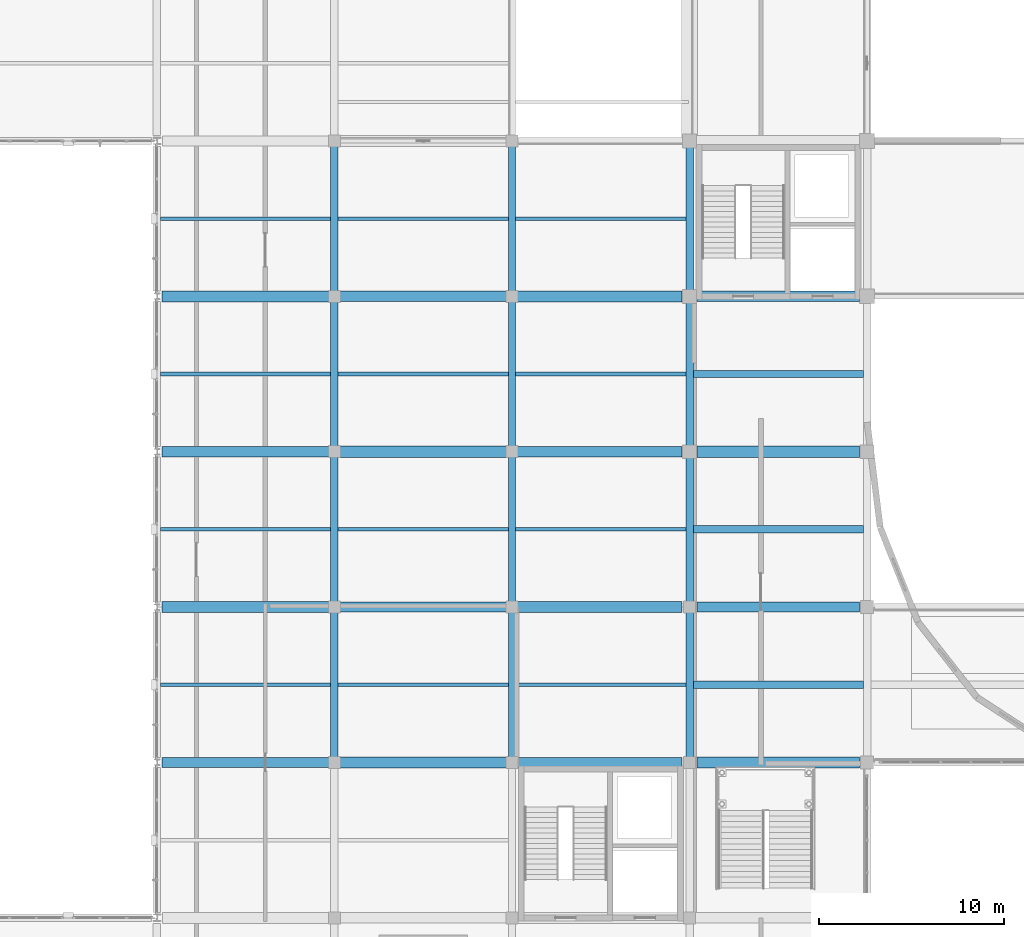
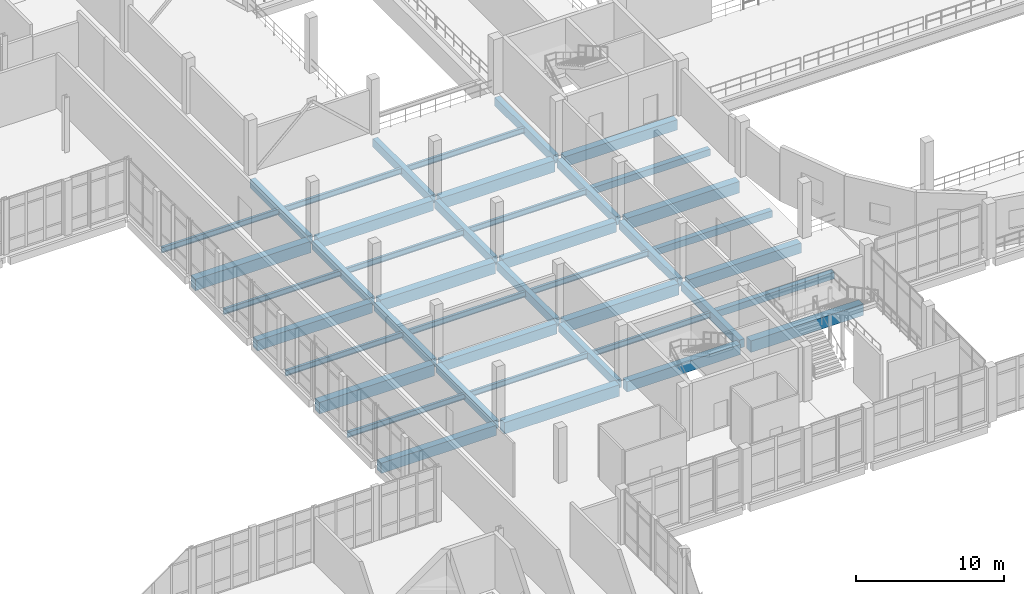
# One storey, part 32 of 102: 43 beams.
"""IFC4 building model written with IfcOpenShell, lengths in metres."""

from ifc_helpers import new_model, si_unit, direction, frame, origin, origin_2d, place, context, subcontext, project, spatial, rectangle, i_section, extrude, material, material_profile, profile_set, type_object, element, save


model = new_model("IFC4")

# Units and contexts
model_context = context("Model", 3, precision=1e-05, world=origin(), true_north=direction((0.0, 1.0)))
body_context = subcontext(model_context, "Body", "Model", "MODEL_VIEW")
ifc_project = project(units=[si_unit("LENGTHUNIT", "METRE"), si_unit("AREAUNIT", "SQUARE_METRE"), si_unit("VOLUMEUNIT", "CUBIC_METRE"), si_unit("PLANEANGLEUNIT", "RADIAN"), si_unit("MASSUNIT", "GRAM", prefix="KILO")], contexts=[model_context])

# Site, building, storey
site_placement = place(None, origin())
site = spatial("IfcSite", under=ifc_project, at=site_placement, CompositionType="ELEMENT")
building_placement = place(site_placement, origin())
building = spatial("IfcBuilding", under=site, at=building_placement, Name="Lornevale Opera House", CompositionType="ELEMENT")
storey_placement = place(building_placement, frame((0.0, 0.0, 5.39990234375)))
storey = spatial("IfcBuildingStorey", under=building, at=storey_placement, Name="L02", CompositionType="ELEMENT", Elevation=5.39990234375)

# Beams
ifc_material_1 = material(Name="Concrete 35 MPa (CSA A23.1 N)", Category="concrete")
ifc_material_profile_1 = material_profile(ifc_material_1, rectangle(XDim=0.39990234375, YDim=0.550048828125, at=origin_2d()), Name="RC400x550")
ifc_profile_set_1 = profile_set([ifc_material_profile_1], Name="Concrete 35 MPa (CSA A23.1 N)")
beam_type_1 = type_object("IfcBeamType", Name="Auditorium Tier Raker Beam 400x550", PredefinedType="JOIST", material=ifc_profile_set_1)
for number, where, z_axis, x_axis, name in (
    (1, (57.800048828125, 37.800048828125, -0.625), (1.0, 0.0, 0.0), (0.0, 1.0, 0.0), "Auditorium Tier Raker Beam 400x550 2022"),
    (2, (57.800048828125, 46.199951171875, -0.625), (1.0, 0.0, 0.0), (0.0, 1.0, 0.0), "Auditorium Tier Raker Beam 400x550 2023"),
    (3, (57.800048828125, 54.60009765625, -0.625), (1.0, 0.0, 0.0), (0.0, 1.0, 0.0), "Auditorium Tier Raker Beam 400x550 2024"),
):
    element("IfcBeam", number, at=place(storey_placement, frame(where, z_axis=z_axis, x_axis=x_axis)), inside=storey, type_object=beam_type_1, Name=name, PredefinedType="JOIST", context=body_context, shape_type="SweptSolid", body=[
        extrude(rectangle(XDim=0.39990234375, YDim=0.550048828125, at=origin_2d()), origin(), (0.0, 0.0, 1.0), 9.199951171875),
    ])
ifc_material_profile_2 = material_profile(ifc_material_1, rectangle(XDim=0.39990234375, YDim=0.699951171875, at=origin_2d()), Name="RC400x700")
ifc_profile_set_2 = profile_set([ifc_material_profile_2], Name="Concrete 35 MPa (CSA A23.1 N)")
beam_type_2 = type_object("IfcBeamType", Name="Concrete Floor Beam 400x700", PredefinedType="USERDEFINED", material=ifc_profile_set_2)
for number, where, z_axis, x_axis, name in (
    (4, (38.39990234375, 33.89990234375, -0.699951171875), (0.0, 1.0, 0.0), (-1.0, 0.0, 0.0), "Concrete Floor Beam 400x700 1861"),
    (5, (38.39990234375, 42.300048828125, -0.699951171875), (0.0, 1.0, 0.0), (-1.0, 0.0, 0.0), "Concrete Floor Beam 400x700 1862"),
    (6, (38.39990234375, 50.699951171875, -0.699951171875), (0.0, 1.0, 0.0), (-1.0, 0.0, 0.0), "Concrete Floor Beam 400x700 1863"),
):
    element("IfcBeam", number, at=place(storey_placement, frame(where, z_axis=z_axis, x_axis=x_axis)), inside=storey, type_object=beam_type_2, Name=name, ObjectType="GIRDER", PredefinedType="USERDEFINED", context=body_context, shape_type="SweptSolid", body=[
        extrude(rectangle(XDim=0.39990234375, YDim=0.699951171875, at=origin_2d()), origin(), (0.0, 0.0, 1.0), 7.800048828125),
    ])
beam_1_placement = place(storey_placement, frame((38.39990234375, 59.10009765625, -0.699951171875), z_axis=(0.0, 1.0, 0.0), x_axis=(-1.0, 0.0, 0.0)))
element("IfcBeam", 7, at=beam_1_placement, inside=storey, type_object=beam_type_2, Name="Concrete Floor Beam 400x700 1864", ObjectType="GIRDER", PredefinedType="USERDEFINED", context=body_context, shape_type="SweptSolid", body=[
    extrude(rectangle(XDim=0.39990234375, YDim=0.699951171875, at=origin_2d()), origin(), (0.0, 0.0, 1.0), 7.7998046875),
])
for number, where, z_axis, x_axis, name in (
    (8, (48.0, 33.89990234375, -0.699951171875), (0.0, 1.0, 0.0), (-1.0, 0.0, 0.0), "Concrete Floor Beam 400x700 1872"),
    (9, (48.0, 42.300048828125, -0.699951171875), (0.0, 1.0, 0.0), (-1.0, 0.0, 0.0), "Concrete Floor Beam 400x700 1873"),
    (10, (48.0, 50.699951171875, -0.699951171875), (0.0, 1.0, 0.0), (-1.0, 0.0, 0.0), "Concrete Floor Beam 400x700 1874"),
):
    element("IfcBeam", number, at=place(storey_placement, frame(where, z_axis=z_axis, x_axis=x_axis)), inside=storey, type_object=beam_type_2, Name=name, ObjectType="GIRDER", PredefinedType="USERDEFINED", context=body_context, shape_type="SweptSolid", body=[
        extrude(rectangle(XDim=0.39990234375, YDim=0.699951171875, at=origin_2d()), origin(), (0.0, 0.0, 1.0), 7.800048828125),
    ])
beam_2_placement = place(storey_placement, frame((48.0, 59.10009765625, -0.699951171875), z_axis=(0.0, 1.0, 0.0), x_axis=(-1.0, 0.0, 0.0)))
element("IfcBeam", 11, at=beam_2_placement, inside=storey, type_object=beam_type_2, Name="Concrete Floor Beam 400x700 1875", ObjectType="GIRDER", PredefinedType="USERDEFINED", context=body_context, shape_type="SweptSolid", body=[
    extrude(rectangle(XDim=0.39990234375, YDim=0.699951171875, at=origin_2d()), origin(), (0.0, 0.0, 1.0), 7.7998046875),
])
for number, where, z_axis, x_axis, name in (
    (12, (57.60009765625, 33.85009765625, -0.699951171875), (0.0, 1.0, 0.0), (-1.0, 0.0, 0.0), "Concrete Floor Beam 400x700 1883"),
    (13, (57.60009765625, 42.25, -0.699951171875), (0.0, 1.0, 0.0), (-1.0, 0.0, 0.0), "Concrete Floor Beam 400x700 1884"),
):
    element("IfcBeam", number, at=place(storey_placement, frame(where, z_axis=z_axis, x_axis=x_axis)), inside=storey, type_object=beam_type_2, Name=name, ObjectType="GIRDER", PredefinedType="USERDEFINED", context=body_context, shape_type="SweptSolid", body=[
        extrude(rectangle(XDim=0.39990234375, YDim=0.699951171875, at=origin_2d()), origin(), (0.0, 0.0, 1.0), 7.89990234375),
    ])
beam_3_placement = place(storey_placement, frame((57.60009765625, 50.64990234375, -0.699951171875), z_axis=(0.0, 1.0, 0.0), x_axis=(-1.0, 0.0, 0.0)))
element("IfcBeam", 14, at=beam_3_placement, inside=storey, type_object=beam_type_2, Name="Concrete Floor Beam 400x700 1885", ObjectType="GIRDER", PredefinedType="USERDEFINED", context=body_context, shape_type="SweptSolid", body=[
    extrude(rectangle(XDim=0.39990234375, YDim=0.699951171875, at=origin_2d()), origin(), (0.0, 0.0, 1.0), 7.900146484375),
])
beam_4_placement = place(storey_placement, frame((57.60009765625, 59.050048828125, -0.699951171875), z_axis=(0.0, 1.0, 0.0), x_axis=(-1.0, 0.0, 0.0)))
element("IfcBeam", 15, at=beam_4_placement, inside=storey, type_object=beam_type_2, Name="Concrete Floor Beam 400x700 1886", ObjectType="GIRDER", PredefinedType="USERDEFINED", context=body_context, shape_type="SweptSolid", body=[
    extrude(rectangle(XDim=0.39990234375, YDim=0.699951171875, at=origin_2d()), origin(), (0.0, 0.0, 1.0), 7.949951171875),
])
ifc_material_profile_3 = material_profile(ifc_material_1, rectangle(XDim=0.550048828125, YDim=0.85009765625, at=origin_2d()), Name="RC550x850")
ifc_profile_set_3 = profile_set([ifc_material_profile_3], Name="Concrete 35 MPa (CSA A23.1 N)")
beam_type_3 = type_object("IfcBeamType", Name="Concrete Primary Girder 550x850", PredefinedType="USERDEFINED", material=ifc_profile_set_3)
beam_5_placement = place(storey_placement, frame((29.074951171875, 33.60009765625, -0.724853515625), z_axis=(1.0, 0.0, 0.0), x_axis=(0.0, 1.0, 0.0)))
element("IfcBeam", 16, at=beam_5_placement, inside=storey, type_object=beam_type_3, Name="Concrete Primary Girder 550x850 1709", ObjectType="GIRDER", PredefinedType="USERDEFINED", context=body_context, shape_type="SweptSolid", body=[
    extrude(rectangle(XDim=0.550048828125, YDim=0.85009765625, at=origin_2d()), origin(), (0.0, 0.0, 1.0), 9.025146484375),
])
beam_6_placement = place(storey_placement, frame((48.300048828125, 33.60009765625, -0.724853515625), z_axis=(1.0, 0.0, 0.0), x_axis=(0.0, 1.0, 0.0)))
element("IfcBeam", 17, at=beam_6_placement, inside=storey, type_object=beam_type_3, Name="Concrete Primary Girder 550x850 1711", ObjectType="GIRDER", PredefinedType="USERDEFINED", context=body_context, shape_type="SweptSolid", body=[
    extrude(rectangle(XDim=0.550048828125, YDim=0.85009765625, at=origin_2d()), origin(), (0.0, 0.0, 1.0), 8.89990234375),
])
beam_7_placement = place(storey_placement, frame((38.699951171875, 42.0, -0.77490234375), z_axis=(1.0, 0.0, 0.0), x_axis=(0.0, 1.0, 0.0)))
element("IfcBeam", 18, at=beam_7_placement, inside=storey, type_object=beam_type_3, Name="Concrete Primary Girder 550x850 1723", ObjectType="GIRDER", PredefinedType="USERDEFINED", context=body_context, shape_type="SweptSolid", body=[
    extrude(rectangle(XDim=0.550048828125, YDim=0.85009765625, at=origin_2d()), origin(), (0.0, 0.0, 1.0), 9.0),
])
beam_8_placement = place(storey_placement, frame((58.0, 42.0, -0.77490234375), z_axis=(1.0, 0.0, 0.0), x_axis=(0.0, 1.0, 0.0)))
element("IfcBeam", 19, at=beam_8_placement, inside=storey, type_object=beam_type_3, Name="Concrete Primary Girder 550x850 1725", ObjectType="GIRDER", PredefinedType="USERDEFINED", context=body_context, shape_type="SweptSolid", body=[
    extrude(rectangle(XDim=0.550048828125, YDim=0.85009765625, at=origin_2d()), origin(), (0.0, 0.0, 1.0), 8.800048828125),
])
beam_9_placement = place(storey_placement, frame((29.074951171875, 50.39990234375, -0.77490234375), z_axis=(1.0, 0.0, 0.0), x_axis=(0.0, 1.0, 0.0)))
element("IfcBeam", 20, at=beam_9_placement, inside=storey, type_object=beam_type_3, Name="Concrete Primary Girder 550x850 1735", ObjectType="GIRDER", PredefinedType="USERDEFINED", context=body_context, shape_type="SweptSolid", body=[
    extrude(rectangle(XDim=0.550048828125, YDim=0.85009765625, at=origin_2d()), origin(), (0.0, 0.0, 1.0), 9.025146484375),
])
beam_10_placement = place(storey_placement, frame((48.300048828125, 50.39990234375, -0.77490234375), z_axis=(1.0, 0.0, 0.0), x_axis=(0.0, 1.0, 0.0)))
element("IfcBeam", 21, at=beam_10_placement, inside=storey, type_object=beam_type_3, Name="Concrete Primary Girder 550x850 1737", ObjectType="GIRDER", PredefinedType="USERDEFINED", context=body_context, shape_type="SweptSolid", body=[
    extrude(rectangle(XDim=0.550048828125, YDim=0.85009765625, at=origin_2d()), origin(), (0.0, 0.0, 1.0), 8.89990234375),
])
beam_11_placement = place(storey_placement, frame((38.699951171875, 58.800048828125, -0.77490234375), z_axis=(1.0, 0.0, 0.0), x_axis=(0.0, 1.0, 0.0)))
element("IfcBeam", 22, at=beam_11_placement, inside=storey, type_object=beam_type_3, Name="Concrete Primary Girder 550x850 1746", ObjectType="GIRDER", PredefinedType="USERDEFINED", context=body_context, shape_type="SweptSolid", body=[
    extrude(rectangle(XDim=0.550048828125, YDim=0.85009765625, at=origin_2d()), origin(), (0.0, 0.0, 1.0), 9.0),
])
beam_12_placement = place(storey_placement, frame((58.0, 58.800048828125, -0.77490234375), z_axis=(1.0, 0.0, 0.0), x_axis=(0.0, 1.0, 0.0)))
element("IfcBeam", 23, at=beam_12_placement, inside=storey, type_object=beam_type_3, Name="Concrete Primary Girder 550x850 1748", ObjectType="GIRDER", PredefinedType="USERDEFINED", context=body_context, shape_type="SweptSolid", body=[
    extrude(rectangle(XDim=0.550048828125, YDim=0.85009765625, at=origin_2d()), origin(), (0.0, 0.0, 1.0), 8.800048828125),
])
ifc_material_profile_4 = material_profile(ifc_material_1, rectangle(XDim=0.60009765625, YDim=0.949951171875, at=origin_2d()), Name="RC600x950")
ifc_profile_set_4 = profile_set([ifc_material_profile_4], Name="Concrete 35 MPa (CSA A23.1 N)")
beam_type_4 = type_object("IfcBeamType", Name="Concrete Primary Girder 600x950", PredefinedType="USERDEFINED", material=ifc_profile_set_4)
beam_13_placement = place(storey_placement, frame((38.699951171875, 33.60009765625, -0.77490234375), z_axis=(1.0, 0.0, 0.0), x_axis=(0.0, 1.0, 0.0)))
element("IfcBeam", 24, at=beam_13_placement, inside=storey, type_object=beam_type_4, Name="Concrete Primary Girder 600x950 1710", ObjectType="GIRDER", PredefinedType="USERDEFINED", context=body_context, shape_type="SweptSolid", body=[
    extrude(rectangle(XDim=0.60009765625, YDim=0.949951171875, at=origin_2d()), origin(), (0.0, 0.0, 1.0), 9.0),
])
beam_14_placement = place(storey_placement, frame((58.0, 33.60009765625, -0.77490234375), z_axis=(1.0, 0.0, 0.0), x_axis=(0.0, 1.0, 0.0)))
element("IfcBeam", 25, at=beam_14_placement, inside=storey, type_object=beam_type_4, Name="Concrete Primary Girder 600x950 1712", ObjectType="GIRDER", PredefinedType="USERDEFINED", context=body_context, shape_type="SweptSolid", body=[
    extrude(rectangle(XDim=0.60009765625, YDim=0.949951171875, at=origin_2d()), origin(), (0.0, 0.0, 1.0), 8.800048828125),
])
beam_15_placement = place(storey_placement, frame((29.074951171875, 42.0, -0.824951171875), z_axis=(1.0, 0.0, 0.0), x_axis=(0.0, 1.0, 0.0)))
element("IfcBeam", 26, at=beam_15_placement, inside=storey, type_object=beam_type_4, Name="Concrete Primary Girder 600x950 1722", ObjectType="GIRDER", PredefinedType="USERDEFINED", context=body_context, shape_type="SweptSolid", body=[
    extrude(rectangle(XDim=0.60009765625, YDim=0.949951171875, at=origin_2d()), origin(), (0.0, 0.0, 1.0), 9.025146484375),
])
beam_16_placement = place(storey_placement, frame((48.300048828125, 42.0, -0.824951171875), z_axis=(1.0, 0.0, 0.0), x_axis=(0.0, 1.0, 0.0)))
element("IfcBeam", 27, at=beam_16_placement, inside=storey, type_object=beam_type_4, Name="Concrete Primary Girder 600x950 1724", ObjectType="GIRDER", PredefinedType="USERDEFINED", context=body_context, shape_type="SweptSolid", body=[
    extrude(rectangle(XDim=0.60009765625, YDim=0.949951171875, at=origin_2d()), origin(), (0.0, 0.0, 1.0), 8.89990234375),
])
beam_17_placement = place(storey_placement, frame((38.699951171875, 50.39990234375, -0.824951171875), z_axis=(1.0, 0.0, 0.0), x_axis=(0.0, 1.0, 0.0)))
element("IfcBeam", 28, at=beam_17_placement, inside=storey, type_object=beam_type_4, Name="Concrete Primary Girder 600x950 1736", ObjectType="GIRDER", PredefinedType="USERDEFINED", context=body_context, shape_type="SweptSolid", body=[
    extrude(rectangle(XDim=0.60009765625, YDim=0.949951171875, at=origin_2d()), origin(), (0.0, 0.0, 1.0), 9.0),
])
beam_18_placement = place(storey_placement, frame((58.0, 50.39990234375, -0.824951171875), z_axis=(1.0, 0.0, 0.0), x_axis=(0.0, 1.0, 0.0)))
element("IfcBeam", 29, at=beam_18_placement, inside=storey, type_object=beam_type_4, Name="Concrete Primary Girder 600x950 1738", ObjectType="GIRDER", PredefinedType="USERDEFINED", context=body_context, shape_type="SweptSolid", body=[
    extrude(rectangle(XDim=0.60009765625, YDim=0.949951171875, at=origin_2d()), origin(), (0.0, 0.0, 1.0), 8.800048828125),
])
beam_19_placement = place(storey_placement, frame((29.074951171875, 58.800048828125, -0.824951171875), z_axis=(1.0, 0.0, 0.0), x_axis=(0.0, 1.0, 0.0)))
element("IfcBeam", 30, at=beam_19_placement, inside=storey, type_object=beam_type_4, Name="Concrete Primary Girder 600x950 1745", ObjectType="GIRDER", PredefinedType="USERDEFINED", context=body_context, shape_type="SweptSolid", body=[
    extrude(rectangle(XDim=0.60009765625, YDim=0.949951171875, at=origin_2d()), origin(), (0.0, 0.0, 1.0), 9.025146484375),
])
beam_20_placement = place(storey_placement, frame((48.300048828125, 58.800048828125, -0.824951171875), z_axis=(1.0, 0.0, 0.0), x_axis=(0.0, 1.0, 0.0)))
element("IfcBeam", 31, at=beam_20_placement, inside=storey, type_object=beam_type_4, Name="Concrete Primary Girder 600x950 1747", ObjectType="GIRDER", PredefinedType="USERDEFINED", context=body_context, shape_type="SweptSolid", body=[
    extrude(rectangle(XDim=0.60009765625, YDim=0.949951171875, at=origin_2d()), origin(), (0.0, 0.0, 1.0), 8.89990234375),
])
ifc_material_2 = material(Name="Structural Steel CSA G40.21 Grade 350W (350 MPa)", Category="steel")
ifc_material_profile_5 = material_profile(ifc_material_2, i_section(OverallWidth=0.19189453125, OverallDepth=0.462890625, WebThickness=0.010498046875, FlangeThickness=0.017578125, at=origin_2d()), Name="W460x89")
ifc_profile_set_5 = profile_set([ifc_material_profile_5], Name="Structural Steel CSA G40.21 Grade 350W (350 MPa)")
beam_type_5 = type_object("IfcBeamType", Name="Steel Floor Joist W460x89", PredefinedType="JOIST", material=ifc_profile_set_5)
for number, where, z_axis, x_axis, name in (
    (32, (29.0, 37.800048828125, -0.596435546875), (1.0, 0.0, 0.0), (0.0, 1.0, 0.0), "Steel Floor Joist W460x89 1994"),
    (33, (29.0, 46.199951171875, -0.596435546875), (1.0, 0.0, 0.0), (0.0, 1.0, 0.0), "Steel Floor Joist W460x89 1995"),
    (34, (29.0, 54.60009765625, -0.596435546875), (1.0, 0.0, 0.0), (0.0, 1.0, 0.0), "Steel Floor Joist W460x89 1996"),
    (35, (29.0, 63.0, -0.596435546875), (1.0, 0.0, 0.0), (0.0, 1.0, 0.0), "Steel Floor Joist W460x89 1997"),
    (36, (38.60009765625, 37.800048828125, -0.596435546875), (1.0, 0.0, 0.0), (0.0, 1.0, 0.0), "Steel Floor Joist W460x89 2004"),
    (37, (38.60009765625, 46.199951171875, -0.596435546875), (1.0, 0.0, 0.0), (0.0, 1.0, 0.0), "Steel Floor Joist W460x89 2005"),
    (38, (38.60009765625, 54.60009765625, -0.596435546875), (1.0, 0.0, 0.0), (0.0, 1.0, 0.0), "Steel Floor Joist W460x89 2006"),
    (39, (38.60009765625, 63.0, -0.596435546875), (1.0, 0.0, 0.0), (0.0, 1.0, 0.0), "Steel Floor Joist W460x89 2007"),
    (40, (48.199951171875, 37.800048828125, -0.596435546875), (1.0, 0.0, 0.0), (0.0, 1.0, 0.0), "Steel Floor Joist W460x89 2014"),
    (41, (48.199951171875, 46.199951171875, -0.596435546875), (1.0, 0.0, 0.0), (0.0, 1.0, 0.0), "Steel Floor Joist W460x89 2015"),
    (42, (48.199951171875, 54.60009765625, -0.596435546875), (1.0, 0.0, 0.0), (0.0, 1.0, 0.0), "Steel Floor Joist W460x89 2016"),
    (43, (48.199951171875, 63.0, -0.596435546875), (1.0, 0.0, 0.0), (0.0, 1.0, 0.0), "Steel Floor Joist W460x89 2017"),
):
    element("IfcBeam", number, at=place(storey_placement, frame(where, z_axis=z_axis, x_axis=x_axis)), inside=storey, type_object=beam_type_5, Name=name, PredefinedType="JOIST", context=body_context, shape_type="SweptSolid", body=[
        extrude(i_section(OverallWidth=0.19189453125, OverallDepth=0.462890625, WebThickness=0.010498046875, FlangeThickness=0.017578125, at=origin_2d()), origin(), (0.0, 0.0, 1.0), 9.199951171875),
    ])

save(model, "model.ifc")
